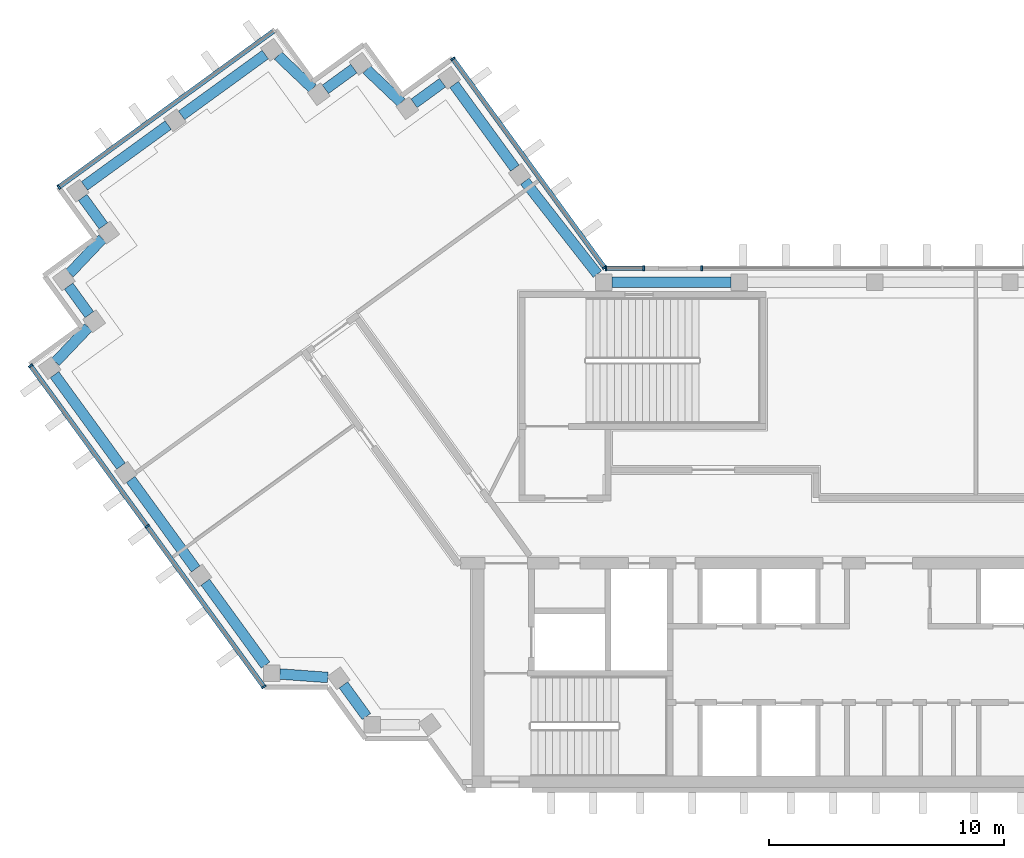
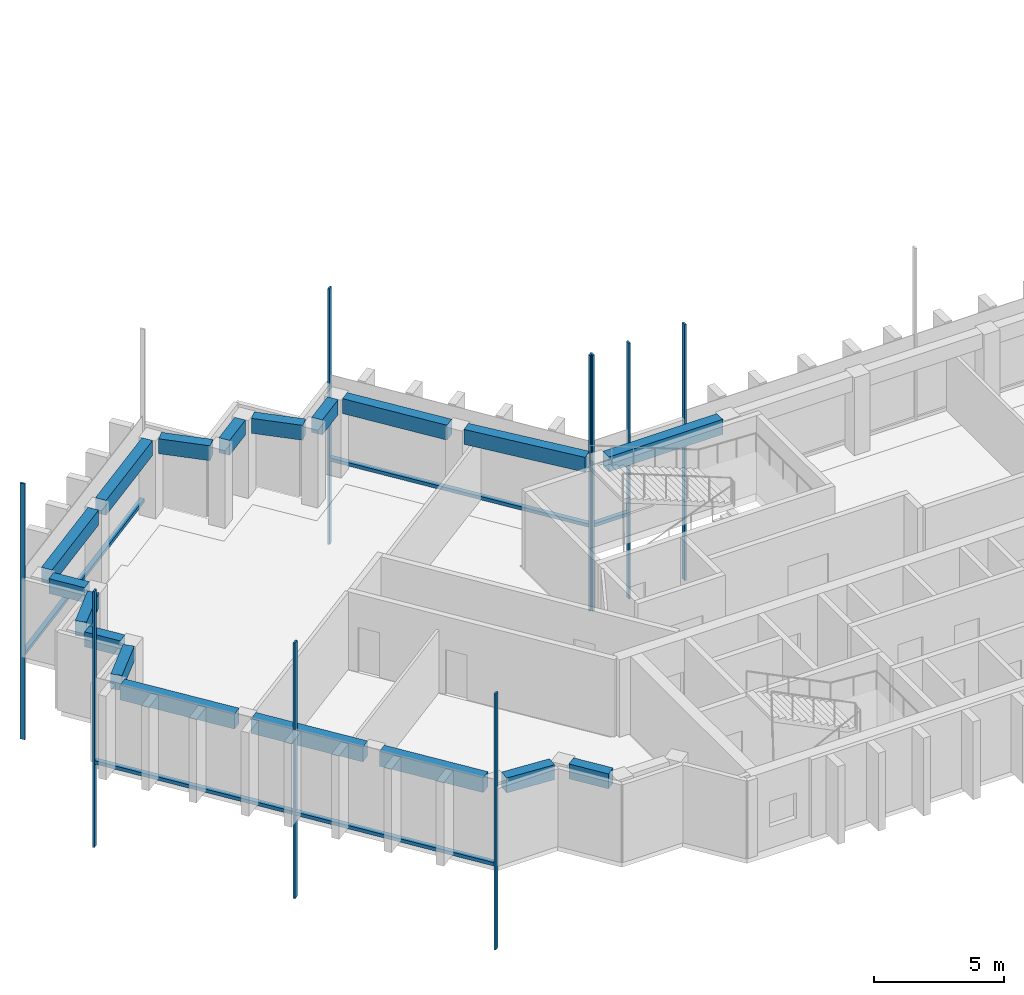
# One storey, part 2 of 13: 18 beams, 14 members, 5 elements without a shape of their own.
"""IFC4 building model written with IfcOpenShell, lengths in metres."""

from ifc_helpers import new_model, si_unit, direction, frame, origin, origin_2d, place, context, subcontext, project, spatial, rectangle, extrude, material, material_profile, profile_set, type_object, element, aggregate, save


model = new_model("IFC4")

# Units and contexts
model_context = context("Model", 3, precision=1e-05, world=origin(), true_north=direction((0.0, 1.0)))
body_context = subcontext(model_context, "Body", "Model", "MODEL_VIEW")
ifc_project = project(units=[si_unit("LENGTHUNIT", "METRE"), si_unit("AREAUNIT", "SQUARE_METRE"), si_unit("VOLUMEUNIT", "CUBIC_METRE"), si_unit("PLANEANGLEUNIT", "RADIAN"), si_unit("MASSUNIT", "GRAM", prefix="KILO")], contexts=[model_context])

# Site, building, storey
site_placement = place(None, origin())
site = spatial("IfcSite", under=ifc_project, at=site_placement, CompositionType="ELEMENT")
building_placement = place(site_placement, origin())
building = spatial("IfcBuilding", under=site, at=building_placement, Name="Quipu Civic Tower", CompositionType="ELEMENT")
storey_placement = place(building_placement, frame((0.0, 0.0, 285.0)))
storey = spatial("IfcBuildingStorey", under=building, at=storey_placement, Name="L66", CompositionType="ELEMENT", Elevation=285.0)

# Curtain wall, members
ifc_material_1 = material(Name="Insulated glass unit", Category="glass")
curtain_wall_type = type_object("IfcCurtainWallType", Name="Office curtain wall CW1", PredefinedType="NOTDEFINED", material=ifc_material_1)
curtain_wall_1_placement = place(storey_placement, origin())
curtain_wall_1 = element("IfcCurtainWall", 1, at=curtain_wall_1_placement, inside=storey, type_object=curtain_wall_type, Name="Office curtain wall CW1 L65 run 1", PredefinedType="NOTDEFINED")
ifc_material_2 = material(Name="Anodised aluminium", Category="aluminium")
ifc_material_profile_1 = material_profile(ifc_material_2, rectangle(XDim=0.199951171875, YDim=0.080078125, at=origin_2d()), Name="RECT 200x80")
ifc_profile_set_1 = profile_set([ifc_material_profile_1], Name="Anodised aluminium")
member_type_1 = type_object("IfcMemberType", Name="Mullion CW1", PredefinedType="MULLION", material=ifc_profile_set_1)
member_1_placement = place(storey_placement, frame((-14.36767578125, 11.13232421875, -3.919921875), z_axis=(0.0, 0.0, 1.0), x_axis=(-0.809015163947, -0.587787771652, 0.0)))
member_1 = element("IfcMember", 2, at=member_1_placement, type_object=member_type_1, Name="CW1 mullion 1", PredefinedType="MULLION", context=body_context, shape_type="SweptSolid", body=[
    extrude(rectangle(XDim=0.199951171875, YDim=0.080078125, at=origin_2d()), origin(), (0.0, 0.0, 1.0), 12.0),
])
member_2_placement = place(storey_placement, frame((-20.8125, 20.002685546875, -3.919921875), z_axis=(0.0, 0.0, 1.0), x_axis=(-0.809015163947, -0.587787771652, 0.0)))
member_2 = element("IfcMember", 3, at=member_2_placement, type_object=member_type_1, Name="CW1 mullion 2", PredefinedType="MULLION", context=body_context, shape_type="SweptSolid", body=[
    extrude(rectangle(XDim=0.199951171875, YDim=0.080078125, at=origin_2d()), origin(), (0.0, 0.0, 1.0), 12.0),
])

# Curtain wall, member
curtain_wall_2_placement = place(storey_placement, origin())
curtain_wall_2 = element("IfcCurtainWall", 4, at=curtain_wall_2_placement, inside=storey, type_object=curtain_wall_type, Name="Office curtain wall CW1 L65 run 6", PredefinedType="NOTDEFINED")
member_3_placement = place(storey_placement, frame((-37.569091796875, 14.552490234375, -3.919921875), z_axis=(0.0, 0.0, 1.0), x_axis=(0.587787753918, -0.809015176832, 0.0)))
member_3 = element("IfcMember", 5, at=member_3_placement, type_object=member_type_1, Name="CW1 mullion 2", PredefinedType="MULLION", context=body_context, shape_type="SweptSolid", body=[
    extrude(rectangle(XDim=0.199951171875, YDim=0.080078125, at=origin_2d()), origin(), (0.0, 0.0, 1.0), 12.0),
])

# Curtain wall, members
curtain_wall_3_placement = place(storey_placement, origin())
curtain_wall_3 = element("IfcCurtainWall", 6, at=curtain_wall_3_placement, inside=storey, type_object=curtain_wall_type, Name="Office curtain wall CW1 L65 run 11", PredefinedType="NOTDEFINED")
member_4_placement = place(storey_placement, frame((-38.772705078125, 6.953857421875, -3.919921875), z_axis=(0.0, 0.0, 1.0), x_axis=(0.809016278475, 0.587786237643, 0.0)))
member_4 = element("IfcMember", 7, at=member_4_placement, type_object=member_type_1, Name="CW1 mullion 1", PredefinedType="MULLION", context=body_context, shape_type="SweptSolid", body=[
    extrude(rectangle(XDim=0.199951171875, YDim=0.080078125, at=origin_2d()), origin(), (0.0, 0.0, 1.0), 12.0),
])
member_5_placement = place(storey_placement, frame((-33.81298828125, 0.12744140625, -3.919921875), z_axis=(0.0, 0.0, 1.0), x_axis=(0.809016278475, 0.587786237643, 0.0)))
member_5 = element("IfcMember", 8, at=member_5_placement, type_object=member_type_1, Name="CW1 mullion 2", PredefinedType="MULLION", context=body_context, shape_type="SweptSolid", body=[
    extrude(rectangle(XDim=0.199951171875, YDim=0.080078125, at=origin_2d()), origin(), (0.0, 0.0, 1.0), 12.0),
])
member_6_placement = place(storey_placement, frame((-28.853271484375, -6.698974609375, -3.919921875), z_axis=(0.0, 0.0, 1.0), x_axis=(0.809016278475, 0.587786237643, 0.0)))
member_6 = element("IfcMember", 9, at=member_6_placement, type_object=member_type_1, Name="CW1 mullion 3", PredefinedType="MULLION", context=body_context, shape_type="SweptSolid", body=[
    extrude(rectangle(XDim=0.199951171875, YDim=0.080078125, at=origin_2d()), origin(), (0.0, 0.0, 1.0), 12.0),
])

# Curtain wall, member
curtain_wall_4_placement = place(storey_placement, origin())
curtain_wall_4 = element("IfcCurtainWall", 10, at=curtain_wall_4_placement, inside=storey, type_object=curtain_wall_type, Name="Office curtain wall CW1 L65 run 36", PredefinedType="NOTDEFINED")
member_7_placement = place(storey_placement, frame((-10.223388671875, 11.10009765625, -3.919921875), z_axis=(0.0, 0.0, 1.0), x_axis=(0.0, -1.0, 0.0)))
member_7 = element("IfcMember", 11, at=member_7_placement, type_object=member_type_1, Name="CW1 mullion 3", PredefinedType="MULLION", context=body_context, shape_type="SweptSolid", body=[
    extrude(rectangle(XDim=0.199951171875, YDim=0.080078125, at=origin_2d()), origin(), (0.0, 0.0, 1.0), 12.0),
])
aggregate(curtain_wall_4, [member_7])

# Curtain wall, members
curtain_wall_5_placement = place(storey_placement, origin())
curtain_wall_5 = element("IfcCurtainWall", 12, at=curtain_wall_5_placement, inside=storey, type_object=curtain_wall_type, Name="Office curtain wall CW1 L65 run 38", PredefinedType="NOTDEFINED")
member_8_placement = place(storey_placement, frame((-12.695068359375, 11.10009765625, -3.919921875), z_axis=(0.0, 0.0, 1.0), x_axis=(0.0, -1.0, 0.0)))
member_8 = element("IfcMember", 13, at=member_8_placement, type_object=member_type_1, Name="CW1 mullion 1", PredefinedType="MULLION", context=body_context, shape_type="SweptSolid", body=[
    extrude(rectangle(XDim=0.199951171875, YDim=0.080078125, at=origin_2d()), origin(), (0.0, 0.0, 1.0), 12.0),
])
member_9_placement = place(storey_placement, frame((-14.30419921875, 11.10009765625, -3.919921875), z_axis=(0.0, 0.0, 1.0), x_axis=(0.0, -1.0, 0.0)))
member_9 = element("IfcMember", 14, at=member_9_placement, type_object=member_type_1, Name="CW1 mullion 2", PredefinedType="MULLION", context=body_context, shape_type="SweptSolid", body=[
    extrude(rectangle(XDim=0.199951171875, YDim=0.080078125, at=origin_2d()), origin(), (0.0, 0.0, 1.0), 12.0),
])

# Beams
ifc_material_3 = material(Name="Concrete C50/60", Category="concrete")
ifc_material_profile_2 = material_profile(ifc_material_3, rectangle(XDim=0.449951171875, YDim=0.699951171875, at=origin_2d()), Name="RC450x700")
ifc_profile_set_2 = profile_set([ifc_material_profile_2], Name="Concrete C50/60")
beam_type = type_object("IfcBeamType", Name="Spandrel beam RC 450x700 C50/60", PredefinedType="SPANDREL", material=ifc_profile_set_2)
beam_1_placement = place(storey_placement, frame((-18.179443359375, 15.358154296875, 3.300048828125), z_axis=(-0.588201428764, 0.808714460857, 0.0), x_axis=(-0.808714460857, -0.588201428764, 0.0)))
element("IfcBeam", 15, at=beam_1_placement, inside=storey, type_object=beam_type, Name="Spandrel beam L66 W-IN-01 to T-Wi.0-W22", PredefinedType="SPANDREL", context=body_context, shape_type="SweptSolid", body=[
    extrude(rectangle(XDim=0.449951171875, YDim=0.699951171875, at=origin_2d()), origin(), (0.0, 0.0, 1.0), 4.394287109375),
])
beam_2_placement = place(storey_placement, frame((-21.25341796875, 18.989501953125, 3.300048828125), z_axis=(-0.809461336076, -0.587173181776, 0.0), x_axis=(0.587173181776, -0.809461336076, 0.0)))
element("IfcBeam", 16, at=beam_2_placement, inside=storey, type_object=beam_type, Name="Spandrel beam L66 T-Wi.0-W22 to T-Wi.1-W22", PredefinedType="SPANDREL", context=body_context, shape_type="SweptSolid", body=[
    extrude(rectangle(XDim=0.449951171875, YDim=0.699951171875, at=origin_2d()), origin(), (0.0, 0.0, 1.0), 1.498046875),
])
beam_3_placement = place(storey_placement, frame((-23.00732421875, 18.1494140625, 3.300048828125), z_axis=(-0.72511931772, 0.6886232461, 0.0), x_axis=(-0.6886232461, -0.72511931772, 0.0)))
element("IfcBeam", 17, at=beam_3_placement, inside=storey, type_object=beam_type, Name="Spandrel beam L66 T-Wi.1-W22 to T-Wi.2-W22", PredefinedType="SPANDREL", context=body_context, shape_type="SweptSolid", body=[
    extrude(rectangle(XDim=0.449951171875, YDim=0.699951171875, at=origin_2d()), origin(), (0.0, 0.0, 1.0), 2.03369140625),
])
beam_4_placement = place(storey_placement, frame((-25.02294921875, 19.589111328125, 3.300048828125), z_axis=(-0.808644589435, -0.588297482553, 0.0), x_axis=(0.588297482553, -0.808644589435, 0.0)))
element("IfcBeam", 18, at=beam_4_placement, inside=storey, type_object=beam_type, Name="Spandrel beam L66 T-Wi.2-W22 to T-Wi.3-W22", PredefinedType="SPANDREL", context=body_context, shape_type="SweptSolid", body=[
    extrude(rectangle(XDim=0.449951171875, YDim=0.699951171875, at=origin_2d()), origin(), (0.0, 0.0, 1.0), 1.500244140625),
])
beam_5_placement = place(storey_placement, frame((-26.777099609375, 18.74560546875, 3.300048828125), z_axis=(-0.725359138958, 0.688370626574, 0.0), x_axis=(-0.688370626574, -0.725359138958, 0.0)))
element("IfcBeam", 19, at=beam_5_placement, inside=storey, type_object=beam_type, Name="Spandrel beam L66 T-Wi.3-W22 to T-Wi.4-W22", PredefinedType="SPANDREL", context=body_context, shape_type="SweptSolid", body=[
    extrude(rectangle(XDim=0.449951171875, YDim=0.699951171875, at=origin_2d()), origin(), (0.0, 0.0, 1.0), 2.032958984375),
])
beam_6_placement = place(storey_placement, frame((-28.793212890625, 20.184326171875, 3.300048828125), z_axis=(-0.809146152767, -0.587607439931, 0.0), x_axis=(0.587607439931, -0.809146152767, 0.0)))
element("IfcBeam", 20, at=beam_6_placement, inside=storey, type_object=beam_type, Name="Spandrel beam L66 T-Wi.4-W22 to TIP-W-01-W22", PredefinedType="SPANDREL", context=body_context, shape_type="SweptSolid", body=[
    extrude(rectangle(XDim=0.449951171875, YDim=0.699951171875, at=origin_2d()), origin(), (0.0, 0.0, 1.0), 4.400390625),
])
beam_7_placement = place(storey_placement, frame((-32.920166015625, 17.187255859375, 3.300048828125), z_axis=(-0.809117270763, -0.587647208921, 0.0), x_axis=(0.587647208921, -0.809117270763, 0.0)))
element("IfcBeam", 21, at=beam_7_placement, inside=storey, type_object=beam_type, Name="Spandrel beam L66 TIP-W-01-W22 to T-Wo.0-W22", PredefinedType="SPANDREL", context=body_context, shape_type="SweptSolid", body=[
    extrude(rectangle(XDim=0.449951171875, YDim=0.699951171875, at=origin_2d()), origin(), (0.0, 0.0, 1.0), 4.40185546875),
])
beam_8_placement = place(storey_placement, frame((-36.55908203125, 14.112060546875, 3.300048828125), z_axis=(0.588345920092, -0.808609348394, 0.0), x_axis=(0.808609348394, 0.588345920092, 0.0)))
element("IfcBeam", 22, at=beam_8_placement, inside=storey, type_object=beam_type, Name="Spandrel beam L66 T-Wo.0-W22 to T-Wo.1-W22", PredefinedType="SPANDREL", context=body_context, shape_type="SweptSolid", body=[
    extrude(rectangle(XDim=0.449951171875, YDim=0.699951171875, at=origin_2d()), origin(), (0.0, 0.0, 1.0), 1.499755859375),
])
beam_9_placement = place(storey_placement, frame((-35.7158203125, 12.358154296875, 3.300048828125), z_axis=(-0.688247466856, -0.725475998477, 0.0), x_axis=(0.725475998477, -0.688247466856, 0.0)))
element("IfcBeam", 23, at=beam_9_placement, inside=storey, type_object=beam_type, Name="Spandrel beam L66 T-Wo.1-W22 to T-Wo.2-W22", PredefinedType="SPANDREL", context=body_context, shape_type="SweptSolid", body=[
    extrude(rectangle(XDim=0.449951171875, YDim=0.699951171875, at=origin_2d()), origin(), (0.0, 0.0, 1.0), 2.032958984375),
])
beam_10_placement = place(storey_placement, frame((-37.154541015625, 10.341796875, 3.300048828125), z_axis=(0.587164895097, -0.809467347066, 0.0), x_axis=(0.809467347066, 0.587164895097, 0.0)))
element("IfcBeam", 24, at=beam_10_placement, inside=storey, type_object=beam_type, Name="Spandrel beam L66 T-Wo.2-W22 to T-Wo.3-W22", PredefinedType="SPANDREL", context=body_context, shape_type="SweptSolid", body=[
    extrude(rectangle(XDim=0.449951171875, YDim=0.699951171875, at=origin_2d()), origin(), (0.0, 0.0, 1.0), 1.500244140625),
])
beam_11_placement = place(storey_placement, frame((-36.3134765625, 8.586181640625, 3.300048828125), z_axis=(-0.689175330605, -0.724594620244, 0.0), x_axis=(0.724594620244, -0.689175330605, 0.0)))
element("IfcBeam", 25, at=beam_11_placement, inside=storey, type_object=beam_type, Name="Spandrel beam L66 T-Wo.3-W22 to T-Wo.4-W22", PredefinedType="SPANDREL", context=body_context, shape_type="SweptSolid", body=[
    extrude(rectangle(XDim=0.449951171875, YDim=0.699951171875, at=origin_2d()), origin(), (0.0, 0.0, 1.0), 2.033447265625),
])
beam_12_placement = place(storey_placement, frame((-37.754150390625, 6.57177734375, 3.300048828125), z_axis=(0.587905928359, -0.808929304328, 0.0), x_axis=(0.808929304328, 0.587905928359, 0.0)))
element("IfcBeam", 26, at=beam_12_placement, inside=storey, type_object=beam_type, Name="Spandrel beam L66 T-Wo.4-W22 to W-OUT-02", PredefinedType="SPANDREL", context=body_context, shape_type="SweptSolid", body=[
    extrude(rectangle(XDim=0.449951171875, YDim=0.699951171875, at=origin_2d()), origin(), (0.0, 0.0, 1.0), 4.80712890625),
])
beam_13_placement = place(storey_placement, frame((-34.5166015625, 2.116943359375, 3.300048828125), z_axis=(0.587788656305, -0.809014521204, 0.0), x_axis=(0.809014521204, 0.587788656305, 0.0)))
element("IfcBeam", 27, at=beam_13_placement, inside=storey, type_object=beam_type, Name="Spandrel beam L66 W-OUT-02 to W-OUT-01", PredefinedType="SPANDREL", context=body_context, shape_type="SweptSolid", body=[
    extrude(rectangle(XDim=0.449951171875, YDim=0.699951171875, at=origin_2d()), origin(), (0.0, 0.0, 1.0), 4.7001953125),
])
beam_14_placement = place(storey_placement, frame((-31.342529296875, -2.251953125, 3.300048828125), z_axis=(0.58777550284, -0.809024077677, 0.0), x_axis=(0.809024077677, 0.58777550284, 0.0)))
element("IfcBeam", 28, at=beam_14_placement, inside=storey, type_object=beam_type, Name="Spandrel beam L66 W-OUT-01 to J-Wo.0", PredefinedType="SPANDREL", context=body_context, shape_type="SweptSolid", body=[
    extrude(rectangle(XDim=0.449951171875, YDim=0.699951171875, at=origin_2d()), origin(), (0.0, 0.0, 1.0), 4.36083984375),
])
beam_15_placement = place(storey_placement, frame((-28.175048828125, -6.155517578125, 3.300048828125), z_axis=(0.99737333325, -0.072432272649, 0.0), x_axis=(0.072432272649, 0.99737333325, 0.0)))
element("IfcBeam", 29, at=beam_15_placement, inside=storey, type_object=beam_type, Name="Spandrel beam L66 J-Wo.0 to J-Wo.1", PredefinedType="SPANDREL", context=body_context, shape_type="SweptSolid", body=[
    extrude(rectangle(XDim=0.449951171875, YDim=0.699951171875, at=origin_2d()), origin(), (0.0, 0.0, 1.0), 2.04931640625),
])
beam_16_placement = place(storey_placement, frame((-25.468505859375, -6.6201171875, 3.300048828125), z_axis=(0.588407300614, -0.80856468423, 0.0), x_axis=(0.80856468423, 0.588407300614, 0.0)))
element("IfcBeam", 30, at=beam_16_placement, inside=storey, type_object=beam_type, Name="Spandrel beam L66 J-Wo.1 to J-Wo.2", PredefinedType="SPANDREL", context=body_context, shape_type="SweptSolid", body=[
    extrude(rectangle(XDim=0.449951171875, YDim=0.699951171875, at=origin_2d()), origin(), (0.0, 0.0, 1.0), 1.663330078125),
])
beam_17_placement = place(storey_placement, frame((-8.987060546875, 10.5, 3.300048828125), z_axis=(-1.0, 0.0, 0.0), x_axis=(0.0, -1.0, 0.0)))
element("IfcBeam", 31, at=beam_17_placement, inside=storey, type_object=beam_type, Name="Spandrel beam L66 FRONT-04 to J-Wi.0", PredefinedType="SPANDREL", context=body_context, shape_type="SweptSolid", body=[
    extrude(rectangle(XDim=0.449951171875, YDim=0.699951171875, at=origin_2d()), origin(), (0.0, 0.0, 1.0), 5.05810546875),
])
beam_18_placement = place(storey_placement, frame((-14.6689453125, 10.85009765625, 3.300048828125), z_axis=(-0.616106034519, 0.787663223865, 0.0), x_axis=(-0.787663223865, -0.616106034519, 0.0)))
element("IfcBeam", 32, at=beam_18_placement, inside=storey, type_object=beam_type, Name="Spandrel beam L66 J-Wi.0 to W-IN-01", PredefinedType="SPANDREL", context=body_context, shape_type="SweptSolid", body=[
    extrude(rectangle(XDim=0.449951171875, YDim=0.699951171875, at=origin_2d()), origin(), (0.0, 0.0, 1.0), 5.013427734375),
])

# Member
ifc_material_4 = material(Name="Anodised aluminium", Category="aluminium")
ifc_material_profile_3 = material_profile(ifc_material_4, rectangle(XDim=0.199951171875, YDim=0.159912109375, at=origin_2d()), Name="RECT 200x160")
ifc_profile_set_3 = profile_set([ifc_material_profile_3], Name="Anodised aluminium")
member_type_2 = type_object("IfcMemberType", Name="Transom CW1", PredefinedType="USERDEFINED", material=ifc_profile_set_3)
member_10_placement = place(storey_placement, frame((-14.39111328125, 11.164794921875, 0.080078125), z_axis=(-0.587796859727, 0.809008560953, 0.0), x_axis=(-0.809008560953, -0.587796859727, 0.0)))
member_10 = element("IfcMember", 33, at=member_10_placement, type_object=member_type_2, Name="CW1 transom 1.2", ObjectType="TRANSOM", PredefinedType="USERDEFINED", context=body_context, shape_type="SweptSolid", body=[
    extrude(rectangle(XDim=0.199951171875, YDim=0.159912109375, at=origin_2d()), origin(), (0.0, 0.0, 1.0), 10.88427734375),
])

aggregate(curtain_wall_1, [member_1, member_2, member_10])

member_11_placement = place(storey_placement, frame((-28.443359375, 21.1826171875, 0.080078125), z_axis=(-0.809022463805, -0.587777724194, 0.0), x_axis=(0.587777724194, -0.809022463805, 0.0)))
member_11 = element("IfcMember", 34, at=member_11_placement, type_object=member_type_2, Name="CW1 transom 1.2", ObjectType="TRANSOM", PredefinedType="USERDEFINED", context=body_context, shape_type="SweptSolid", body=[
    extrude(rectangle(XDim=0.199951171875, YDim=0.159912109375, at=origin_2d()), origin(), (0.0, 0.0, 1.0), 11.240234375),
])

aggregate(curtain_wall_2, [member_3, member_11])

member_12_placement = place(storey_placement, frame((-38.7490234375, 6.92138671875, 0.080078125), z_axis=(0.587779098815, -0.809021465102, 0.0), x_axis=(0.809021465102, 0.587779098815, 0.0)))
member_12 = element("IfcMember", 35, at=member_12_placement, type_object=member_type_2, Name="CW1 transom 1.2", ObjectType="TRANSOM", PredefinedType="USERDEFINED", context=body_context, shape_type="SweptSolid", body=[
    extrude(rectangle(XDim=0.199951171875, YDim=0.159912109375, at=origin_2d()), origin(), (0.0, 0.0, 1.0), 8.35791015625),
])

member_13_placement = place(storey_placement, frame((-33.78955078125, 0.094970703125, 0.080078125), z_axis=(0.587812107925, -0.808997481935, 0.0), x_axis=(0.808997481935, 0.587812107925, 0.0)))
member_13 = element("IfcMember", 36, at=member_13_placement, type_object=member_type_2, Name="CW1 transom 2.2", ObjectType="TRANSOM", PredefinedType="USERDEFINED", context=body_context, shape_type="SweptSolid", body=[
    extrude(rectangle(XDim=0.199951171875, YDim=0.159912109375, at=origin_2d()), origin(), (0.0, 0.0, 1.0), 8.35791015625),
])

aggregate(curtain_wall_3, [member_4, member_5, member_6, member_12, member_13])

member_14_placement = place(storey_placement, frame((-12.735107421875, 11.10009765625, 0.080078125), z_axis=(-1.0, 0.0, 0.0), x_axis=(0.0, -1.0, 0.0)))
member_14 = element("IfcMember", 37, at=member_14_placement, type_object=member_type_2, Name="CW1 transom 1.2", ObjectType="TRANSOM", PredefinedType="USERDEFINED", context=body_context, shape_type="SweptSolid", body=[
    extrude(rectangle(XDim=0.199951171875, YDim=0.159912109375, at=origin_2d()), origin(), (0.0, 0.0, 1.0), 1.529052734375),
])

aggregate(curtain_wall_5, [member_8, member_9, member_14])

save(model, "model.ifc")
